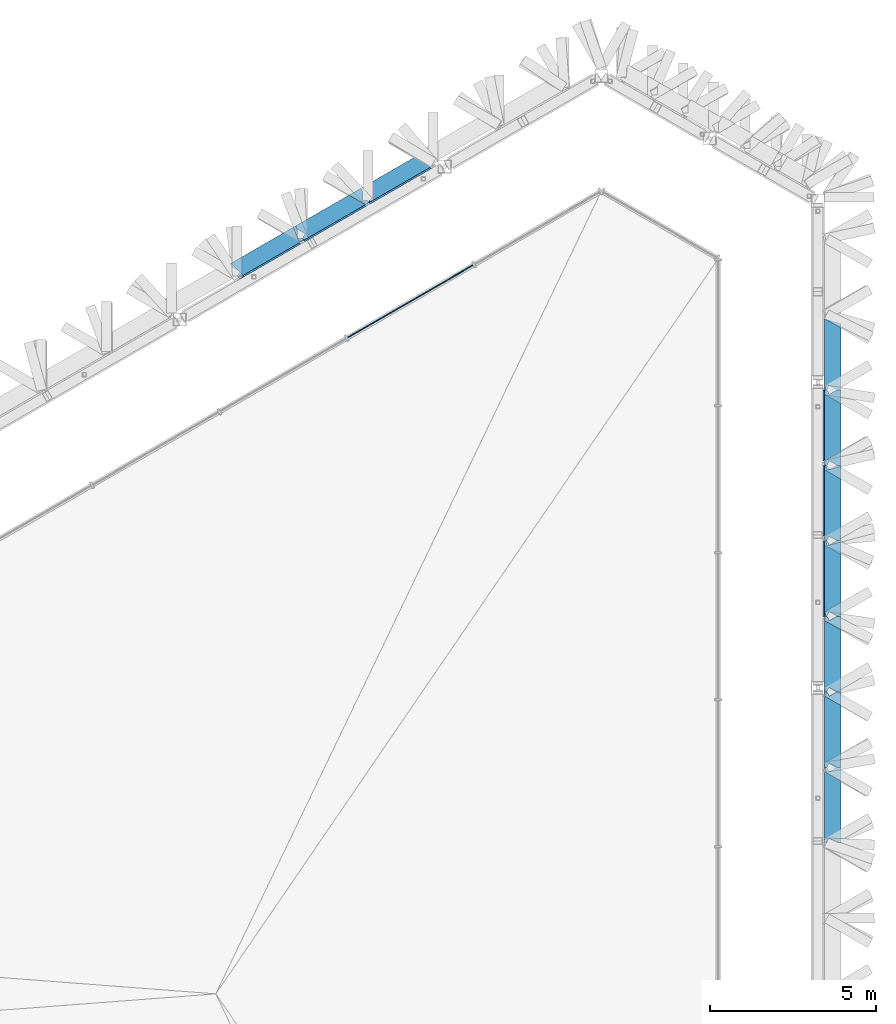
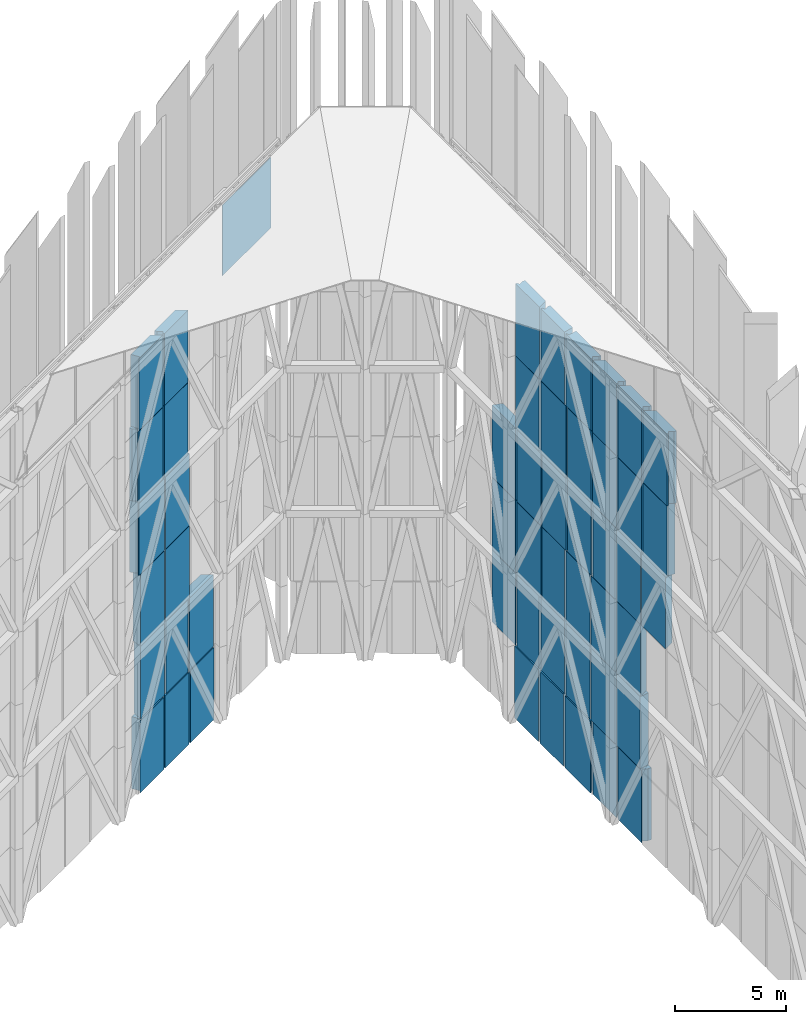
# One storey, part 34 of 45: 51 plates, 1 element without a shape of its own.
"""IFC4 building model written with IfcOpenShell, lengths in metres."""

from ifc_helpers import new_model, si_unit, direction, frame, origin, origin_2d, place, context, subcontext, project, spatial, polyline, rectangle, outline, extrude, material, layer, layer_set, type_object, element, aggregate, save


model = new_model("IFC4")

# Units and contexts
model_context = context("Model", 3, precision=1e-05, world=origin(), true_north=direction((0.0, 1.0)))
body_context = subcontext(model_context, "Body", "Model", "MODEL_VIEW")
ifc_project = project(units=[si_unit("LENGTHUNIT", "METRE"), si_unit("AREAUNIT", "SQUARE_METRE"), si_unit("VOLUMEUNIT", "CUBIC_METRE"), si_unit("PLANEANGLEUNIT", "RADIAN"), si_unit("MASSUNIT", "GRAM", prefix="KILO")], contexts=[model_context])

# Site, building, storey
site_placement = place(None, origin())
site = spatial("IfcSite", under=ifc_project, at=site_placement, CompositionType="ELEMENT")
building_placement = place(site_placement, origin())
building = spatial("IfcBuilding", under=site, at=building_placement, Name="Jabali Bay Hotel Tower and Convention Centre", CompositionType="ELEMENT")
storey_placement = place(building_placement, frame((0.0, 0.0, 322.39990234375)))
storey = spatial("IfcBuildingStorey", under=building, at=storey_placement, Name="Crown", CompositionType="ELEMENT", Elevation=322.39990234375)

# Curtain wall, plate
ifc_material_1 = material(Name="Aluminium and glass", Category="aluminium")
ifc_layer_1 = layer(ifc_material_1, 0.199951171875)
ifc_layer_set_1 = layer_set([ifc_layer_1], Name="Aluminium and glass")
curtain_wall_type = type_object("IfcCurtainWallType", Name="CW6 curtain wall", PredefinedType="NOTDEFINED", material=ifc_layer_set_1)
curtain_wall_placement = place(storey_placement, origin())
curtain_wall = element("IfcCurtainWall", 1, at=curtain_wall_placement, inside=storey, type_object=curtain_wall_type, Name="CW6 lantern glazing 3", PredefinedType="NOTDEFINED")
ifc_material_2 = material(Name="Glass", Category="glass")
ifc_layer_2 = layer(ifc_material_2, 0.031982421875)
ifc_layer_set_2 = layer_set([ifc_layer_2], Name="Glass")
plate_type_1 = type_object("IfcPlateType", Name="CW6 glass panel 32", PredefinedType="CURTAIN_PANEL", material=ifc_layer_set_2)
plate_1_placement = place(storey_placement, frame((80.865478515625, 100.878662109375, 28.41015625), z_axis=(0.0, 0.0, 1.0), x_axis=(-0.866025400826, -0.500000005124, 0.0)))
plate_1 = element("IfcPlate", 2, at=plate_1_placement, type_object=plate_type_1, Name="CW6 panel 2.1", PredefinedType="CURTAIN_PANEL", context=body_context, shape_type="SweptSolid", body=[
    extrude(rectangle(XDim=4.3740234375, YDim=0.031982421875, at=origin_2d()), origin(), (0.0, 0.0, 1.0), 3.8798828125),
])
aggregate(curtain_wall, [plate_1])

# Plates
ifc_material_3 = material(Name="Precast concrete C60", Category="concrete")
ifc_layer_3 = layer(ifc_material_3, 0.5)
ifc_layer_set_3 = layer_set([ifc_layer_3], Name="Precast concrete C60")
plate_type_2 = type_object("IfcPlateType", Name="Pierced precast screen", PredefinedType="USERDEFINED", material=ifc_layer_set_3)
plate_2_placement = place(storey_placement, frame((0.0, 0.0, 0.010009765625)))
element("IfcPlate", 3, at=plate_2_placement, inside=storey, type_object=plate_type_2, Name="Screen 1.0.13", ObjectType="SCREEN", PredefinedType="USERDEFINED", context=body_context, shape_type="SweptSolid", body=[
    extrude(outline(polyline([(93.348876953125, 88.9599609375), (93.348876953125, 86.8291015625), (93.373779296875, 86.8291015625), (93.44873046875, 86.958984375), (93.673828125, 86.8291015625), (93.848876953125, 86.8291015625), (93.848876953125, 88.671142578125), (93.348876953125, 88.9599609375)])), origin(), (0.0, 0.0, 1.0), 3.9658203125),
])
plate_3_placement = place(storey_placement, frame((0.0, 0.0, 0.010009765625)))
element("IfcPlate", 4, at=plate_3_placement, inside=storey, type_object=plate_type_2, Name="Screen 1.0.14", ObjectType="SCREEN", PredefinedType="USERDEFINED", context=body_context, shape_type="SweptSolid", body=[
    extrude(outline(polyline([(93.348876953125, 91.22265625), (93.348876953125, 89.10546875), (93.396484375, 89.10546875), (93.471435546875, 89.2353515625), (93.696533203125, 89.10546875), (93.848876953125, 89.10546875), (93.848876953125, 90.96728515625), (93.348876953125, 91.22265625)])), origin(), (0.0, 0.0, 1.0), 3.9658203125),
])
plate_4_placement = place(storey_placement, frame((0.0, 0.0, 0.010009765625)))
element("IfcPlate", 5, at=plate_4_placement, inside=storey, type_object=plate_type_2, Name="Screen 1.0.15", ObjectType="SCREEN", PredefinedType="USERDEFINED", context=body_context, shape_type="SweptSolid", body=[
    extrude(outline(polyline([(93.298828125, 93.658203125), (93.298828125, 91.3818359375), (93.366943359375, 91.3818359375), (93.435302734375, 91.515380859375), (93.69677734375, 91.3818359375), (93.798828125, 91.3818359375), (93.798828125, 93.62353515625), (93.374267578125, 93.51318359375), (93.33642578125, 93.658203125), (93.298828125, 93.658203125)])), origin(), (0.0, 0.0, 1.0), 3.9658203125),
])
plate_5_placement = place(storey_placement, frame((0.0, 0.0, 0.010009765625)))
element("IfcPlate", 6, at=plate_5_placement, inside=storey, type_object=plate_type_2, Name="Screen 1.0.16", ObjectType="SCREEN", PredefinedType="USERDEFINED", context=body_context, shape_type="SweptSolid", body=[
    extrude(outline(polyline([(93.298828125, 95.9345703125), (93.298828125, 93.803466796875), (93.798828125, 93.933349609375), (93.798828125, 95.9345703125), (93.673828125, 95.9345703125), (93.44873046875, 95.8046875), (93.373779296875, 95.9345703125), (93.298828125, 95.9345703125)])), origin(), (0.0, 0.0, 1.0), 3.9658203125),
])
plate_6_placement = place(storey_placement, frame((0.0, 0.0, 0.010009765625)))
element("IfcPlate", 7, at=plate_6_placement, inside=storey, type_object=plate_type_2, Name="Screen 1.0.17", ObjectType="SCREEN", PredefinedType="USERDEFINED", context=body_context, shape_type="SweptSolid", body=[
    extrude(outline(polyline([(93.298828125, 98.2109375), (93.298828125, 96.064453125), (93.798828125, 96.353271484375), (93.798828125, 98.2109375), (93.7236328125, 98.2109375), (93.498779296875, 98.0810546875), (93.423828125, 98.2109375), (93.298828125, 98.2109375)])), origin(), (0.0, 0.0, 1.0), 3.9658203125),
])
plate_7_placement = place(storey_placement, frame((0.0, 0.0, 0.010009765625)))
element("IfcPlate", 8, at=plate_7_placement, inside=storey, type_object=plate_type_2, Name="Screen 1.2.30", ObjectType="SCREEN", PredefinedType="USERDEFINED", context=body_context, shape_type="SweptSolid", body=[
    extrude(outline(polyline([(79.650390625, 103.814453125), (81.50927734375, 104.8876953125), (81.00927734375, 105.176513671875), (79.400390625, 104.24755859375), (79.462890625, 104.13916015625), (79.68798828125, 104.00927734375), (79.613037109375, 103.87939453125), (79.650390625, 103.814453125)])), origin(), (0.0, 0.0, 1.0), 3.9658203125),
])
plate_8_placement = place(storey_placement, frame((0.0, 0.0, 0.010009765625)))
element("IfcPlate", 9, at=plate_8_placement, inside=storey, type_object=plate_type_2, Name="Screen 1.2.31", ObjectType="SCREEN", PredefinedType="USERDEFINED", context=body_context, shape_type="SweptSolid", body=[
    extrude(outline(polyline([(77.678955078125, 102.67626953125), (79.537841796875, 103.74951171875), (79.037841796875, 104.038330078125), (77.428955078125, 103.109375), (77.491455078125, 103.0009765625), (77.716552734375, 102.87109375), (77.6416015625, 102.7412109375), (77.678955078125, 102.67626953125)])), origin(), (0.0, 0.0, 1.0), 3.9658203125),
])
plate_9_placement = place(storey_placement, frame((0.0, 0.0, 0.010009765625)))
element("IfcPlate", 10, at=plate_9_placement, inside=storey, type_object=plate_type_2, Name="Screen 1.2.32", ObjectType="SCREEN", PredefinedType="USERDEFINED", context=body_context, shape_type="SweptSolid", body=[
    extrude(outline(polyline([(75.70751953125, 101.5380859375), (77.56640625, 102.611328125), (77.06640625, 102.900146484375), (75.556884765625, 102.0283203125), (75.826171875, 101.6318359375), (75.7021484375, 101.547607421875), (75.70751953125, 101.5380859375)])), origin(), (0.0, 0.0, 1.0), 3.9658203125),
])
plate_10_placement = place(storey_placement, frame((0.0, 0.0, 3.995849609375)))
element("IfcPlate", 11, at=plate_10_placement, inside=storey, type_object=plate_type_2, Name="Screen 2.0.13", ObjectType="SCREEN", PredefinedType="USERDEFINED", context=body_context, shape_type="SweptSolid", body=[
    extrude(outline(polyline([(93.348876953125, 89.10546875), (93.348876953125, 86.976806640625), (93.848876953125, 87.06494140625), (93.848876953125, 89.10546875), (93.7236328125, 89.10546875), (93.498779296875, 88.9755859375), (93.423828125, 89.10546875), (93.348876953125, 89.10546875)])), origin(), (0.0, 0.0, 1.0), 3.965576171875),
])
plate_11_placement = place(storey_placement, frame((0.0, 0.0, 3.995849609375)))
element("IfcPlate", 12, at=plate_11_placement, inside=storey, type_object=plate_type_2, Name="Screen 2.0.14", ObjectType="SCREEN", PredefinedType="USERDEFINED", context=body_context, shape_type="SweptSolid", body=[
    extrude(outline(polyline([(93.348876953125, 91.3818359375), (93.348876953125, 89.2353515625), (93.848876953125, 89.524169921875), (93.848876953125, 91.3818359375), (93.7236328125, 91.3818359375), (93.498779296875, 91.251953125), (93.423828125, 91.3818359375), (93.348876953125, 91.3818359375)])), origin(), (0.0, 0.0, 1.0), 3.965576171875),
])
plate_12_placement = place(storey_placement, frame((0.0, 0.0, 3.995849609375)))
element("IfcPlate", 13, at=plate_12_placement, inside=storey, type_object=plate_type_2, Name="Screen 2.0.15", ObjectType="SCREEN", PredefinedType="USERDEFINED", context=body_context, shape_type="SweptSolid", body=[
    extrude(outline(polyline([(93.348876953125, 93.658203125), (93.348876953125, 91.51171875), (93.848876953125, 91.800537109375), (93.848876953125, 93.658203125), (93.7236328125, 93.658203125), (93.498779296875, 93.5283203125), (93.423828125, 93.658203125), (93.348876953125, 93.658203125)])), origin(), (0.0, 0.0, 1.0), 3.965576171875),
])
plate_13_placement = place(storey_placement, frame((0.0, 0.0, 3.995849609375)))
element("IfcPlate", 14, at=plate_13_placement, inside=storey, type_object=plate_type_2, Name="Screen 2.0.16", ObjectType="SCREEN", PredefinedType="USERDEFINED", context=body_context, shape_type="SweptSolid", body=[
    extrude(outline(polyline([(93.348876953125, 95.9345703125), (93.348876953125, 93.7880859375), (93.848876953125, 94.076904296875), (93.848876953125, 95.88916015625), (93.416748046875, 95.78857421875), (93.3828125, 95.9345703125), (93.348876953125, 95.9345703125)])), origin(), (0.0, 0.0, 1.0), 3.965576171875),
])
plate_14_placement = place(storey_placement, frame((0.0, 0.0, 3.995849609375)))
element("IfcPlate", 15, at=plate_14_placement, inside=storey, type_object=plate_type_2, Name="Screen 2.0.17", ObjectType="SCREEN", PredefinedType="USERDEFINED", context=body_context, shape_type="SweptSolid", body=[
    extrude(outline(polyline([(93.348876953125, 98.06298828125), (93.348876953125, 96.080810546875), (93.848876953125, 96.197021484375), (93.848876953125, 97.98095703125), (93.348876953125, 98.06298828125)])), origin(), (0.0, 0.0, 1.0), 3.965576171875),
])
plate_15_placement = place(storey_placement, frame((0.0, 0.0, 3.995849609375)))
element("IfcPlate", 16, at=plate_15_placement, inside=storey, type_object=plate_type_2, Name="Screen 2.0.18", ObjectType="SCREEN", PredefinedType="USERDEFINED", context=body_context, shape_type="SweptSolid", body=[
    extrude(outline(polyline([(93.348876953125, 100.353271484375), (93.348876953125, 98.2109375), (93.373046875, 98.2109375), (93.397216796875, 98.359130859375), (93.848876953125, 98.28515625), (93.848876953125, 100.102783203125), (93.348876953125, 100.353271484375)])), origin(), (0.0, 0.0, 1.0), 3.965576171875),
])
plate_16_placement = place(storey_placement, frame((0.0, 0.0, 3.995849609375)))
element("IfcPlate", 17, at=plate_16_placement, inside=storey, type_object=plate_type_2, Name="Screen 2.2.30", ObjectType="SCREEN", PredefinedType="USERDEFINED", context=body_context, shape_type="SweptSolid", body=[
    extrude(outline(polyline([(79.62548828125, 103.85791015625), (81.48291015625, 104.93017578125), (80.9951171875, 105.22607421875), (79.414794921875, 104.3134765625), (79.718017578125, 103.98974609375), (79.6083984375, 103.88720703125), (79.62548828125, 103.85791015625)])), origin(), (0.0, 0.0, 1.0), 3.965576171875),
])
plate_17_placement = place(storey_placement, frame((0.0, 0.0, 3.995849609375)))
element("IfcPlate", 18, at=plate_17_placement, inside=storey, type_object=plate_type_2, Name="Screen 2.2.31", ObjectType="SCREEN", PredefinedType="USERDEFINED", context=body_context, shape_type="SweptSolid", body=[
    extrude(outline(polyline([(77.782470703125, 102.793701171875), (79.4990234375, 103.78466796875), (79.14794921875, 104.159423828125), (77.60009765625, 103.265869140625), (77.782470703125, 102.793701171875)])), origin(), (0.0, 0.0, 1.0), 3.965576171875),
])
plate_18_placement = place(storey_placement, frame((0.0, 0.0, 3.995849609375)))
element("IfcPlate", 19, at=plate_18_placement, inside=storey, type_object=plate_type_2, Name="Screen 2.2.32", ObjectType="SCREEN", PredefinedType="USERDEFINED", context=body_context, shape_type="SweptSolid", body=[
    extrude(outline(polyline([(75.795654296875, 101.646728515625), (77.654052734375, 102.7197265625), (77.642333984375, 102.73974609375), (77.50244140625, 102.685791015625), (77.337158203125, 103.114013671875), (75.79052734375, 102.22119140625), (75.795654296875, 101.646728515625)])), origin(), (0.0, 0.0, 1.0), 3.965576171875),
])
plate_19_placement = place(storey_placement, frame((0.0, 0.0, 7.9814453125)))
element("IfcPlate", 20, at=plate_19_placement, inside=storey, type_object=plate_type_2, Name="Screen 3.0.13", ObjectType="SCREEN", PredefinedType="USERDEFINED", context=body_context, shape_type="SweptSolid", body=[
    extrude(outline(polyline([(93.348876953125, 89.10546875), (93.348876953125, 86.958984375), (93.848876953125, 87.247802734375), (93.848876953125, 89.10546875), (93.7236328125, 89.10546875), (93.498779296875, 88.9755859375), (93.423828125, 89.10546875), (93.348876953125, 89.10546875)])), origin(), (0.0, 0.0, 1.0), 3.9658203125),
])
plate_20_placement = place(storey_placement, frame((0.0, 0.0, 7.9814453125)))
element("IfcPlate", 21, at=plate_20_placement, inside=storey, type_object=plate_type_2, Name="Screen 3.0.14", ObjectType="SCREEN", PredefinedType="USERDEFINED", context=body_context, shape_type="SweptSolid", body=[
    extrude(outline(polyline([(93.348876953125, 91.3818359375), (93.348876953125, 89.2353515625), (93.848876953125, 89.524169921875), (93.848876953125, 91.3818359375), (93.7236328125, 91.3818359375), (93.498779296875, 91.251953125), (93.423828125, 91.3818359375), (93.348876953125, 91.3818359375)])), origin(), (0.0, 0.0, 1.0), 3.9658203125),
])
plate_21_placement = place(storey_placement, frame((0.0, 0.0, 7.9814453125)))
element("IfcPlate", 22, at=plate_21_placement, inside=storey, type_object=plate_type_2, Name="Screen 3.0.15", ObjectType="SCREEN", PredefinedType="USERDEFINED", context=body_context, shape_type="SweptSolid", body=[
    extrude(outline(polyline([(93.348876953125, 93.658203125), (93.348876953125, 91.51171875), (93.848876953125, 91.800537109375), (93.848876953125, 93.55419921875), (93.37744140625, 93.509033203125), (93.363037109375, 93.658203125), (93.348876953125, 93.658203125)])), origin(), (0.0, 0.0, 1.0), 3.9658203125),
])
plate_22_placement = place(storey_placement, frame((0.0, 0.0, 7.9814453125)))
element("IfcPlate", 23, at=plate_22_placement, inside=storey, type_object=plate_type_2, Name="Screen 3.0.16", ObjectType="SCREEN", PredefinedType="USERDEFINED", context=body_context, shape_type="SweptSolid", body=[
    extrude(outline(polyline([(93.348876953125, 95.8046875), (93.348876953125, 93.8076171875), (93.848876953125, 93.85546875), (93.848876953125, 95.51611328125), (93.348876953125, 95.8046875)])), origin(), (0.0, 0.0, 1.0), 3.9658203125),
])
plate_23_placement = place(storey_placement, frame((0.0, 0.0, 7.9814453125)))
element("IfcPlate", 24, at=plate_23_placement, inside=storey, type_object=plate_type_2, Name="Screen 3.0.17", ObjectType="SCREEN", PredefinedType="USERDEFINED", context=body_context, shape_type="SweptSolid", body=[
    extrude(outline(polyline([(93.348876953125, 98.0810546875), (93.348876953125, 95.9345703125), (93.423828125, 95.9345703125), (93.498779296875, 96.064453125), (93.7236328125, 95.9345703125), (93.848876953125, 95.9345703125), (93.848876953125, 97.79248046875), (93.348876953125, 98.0810546875)])), origin(), (0.0, 0.0, 1.0), 3.9658203125),
])
plate_24_placement = place(storey_placement, frame((0.0, 0.0, 7.9814453125)))
element("IfcPlate", 25, at=plate_24_placement, inside=storey, type_object=plate_type_2, Name="Screen 3.0.18", ObjectType="SCREEN", PredefinedType="USERDEFINED", context=body_context, shape_type="SweptSolid", body=[
    extrude(outline(polyline([(93.348876953125, 100.357421875), (93.348876953125, 98.2109375), (93.423828125, 98.2109375), (93.498779296875, 98.3408203125), (93.7236328125, 98.2109375), (93.848876953125, 98.2109375), (93.848876953125, 100.06884765625), (93.348876953125, 100.357421875)])), origin(), (0.0, 0.0, 1.0), 3.9658203125),
])
plate_25_placement = place(storey_placement, frame((0.0, 0.0, 7.9814453125)))
element("IfcPlate", 26, at=plate_25_placement, inside=storey, type_object=plate_type_2, Name="Screen 3.2.31", ObjectType="SCREEN", PredefinedType="USERDEFINED", context=body_context, shape_type="SweptSolid", body=[
    extrude(outline(polyline([(77.7666015625, 102.78466796875), (79.62548828125, 103.85791015625), (79.587890625, 103.9228515625), (79.43798828125, 103.9228515625), (79.43798828125, 104.1826171875), (79.37548828125, 104.290771484375), (77.7666015625, 103.362060546875), (77.7666015625, 102.78466796875)])), origin(), (0.0, 0.0, 1.0), 3.9658203125),
])
plate_26_placement = place(storey_placement, frame((0.0, 0.0, 7.9814453125)))
element("IfcPlate", 27, at=plate_26_placement, inside=storey, type_object=plate_type_2, Name="Screen 3.2.32", ObjectType="SCREEN", PredefinedType="USERDEFINED", context=body_context, shape_type="SweptSolid", body=[
    extrude(outline(polyline([(75.802734375, 101.65087890625), (77.654052734375, 102.7197265625), (77.616455078125, 102.78466796875), (77.466552734375, 102.78466796875), (77.466552734375, 103.04443359375), (77.404052734375, 103.152587890625), (75.7314453125, 102.18701171875), (75.802734375, 101.65087890625)])), origin(), (0.0, 0.0, 1.0), 3.9658203125),
])
plate_27_placement = place(storey_placement, frame((0.0, 0.0, 11.96728515625)))
element("IfcPlate", 28, at=plate_27_placement, inside=storey, type_object=plate_type_2, Name="Screen 4.0.12", ObjectType="SCREEN", PredefinedType="USERDEFINED", context=body_context, shape_type="SweptSolid", body=[
    extrude(outline(polyline([(93.348876953125, 86.8291015625), (93.348876953125, 84.6826171875), (93.848876953125, 84.971435546875), (93.848876953125, 86.8291015625), (93.730712890625, 86.8291015625), (93.494384765625, 86.697998046875), (93.421630859375, 86.8291015625), (93.348876953125, 86.8291015625)])), origin(), (0.0, 0.0, 1.0), 3.965576171875),
])
plate_28_placement = place(storey_placement, frame((0.0, 0.0, 11.96728515625)))
element("IfcPlate", 29, at=plate_28_placement, inside=storey, type_object=plate_type_2, Name="Screen 4.0.13", ObjectType="SCREEN", PredefinedType="USERDEFINED", context=body_context, shape_type="SweptSolid", body=[
    extrude(outline(polyline([(93.348876953125, 89.10546875), (93.348876953125, 86.960205078125), (93.848876953125, 87.23779296875), (93.848876953125, 89.063720703125), (93.41943359375, 88.959716796875), (93.384033203125, 89.10546875), (93.348876953125, 89.10546875)])), origin(), (0.0, 0.0, 1.0), 3.965576171875),
])
plate_29_placement = place(storey_placement, frame((0.0, 0.0, 11.96728515625)))
element("IfcPlate", 30, at=plate_29_placement, inside=storey, type_object=plate_type_2, Name="Screen 4.0.14", ObjectType="SCREEN", PredefinedType="USERDEFINED", context=body_context, shape_type="SweptSolid", body=[
    extrude(outline(polyline([(93.348876953125, 91.2333984375), (93.348876953125, 89.251220703125), (93.848876953125, 89.372314453125), (93.848876953125, 91.16015625), (93.348876953125, 91.2333984375)])), origin(), (0.0, 0.0, 1.0), 3.965576171875),
])
plate_30_placement = place(storey_placement, frame((0.0, 0.0, 11.96728515625)))
element("IfcPlate", 31, at=plate_30_placement, inside=storey, type_object=plate_type_2, Name="Screen 4.0.15", ObjectType="SCREEN", PredefinedType="USERDEFINED", context=body_context, shape_type="SweptSolid", body=[
    extrude(outline(polyline([(93.348876953125, 93.527099609375), (93.348876953125, 91.3818359375), (93.37060546875, 91.3818359375), (93.392333984375, 91.5302734375), (93.848876953125, 91.46337890625), (93.848876953125, 93.249267578125), (93.348876953125, 93.527099609375)])), origin(), (0.0, 0.0, 1.0), 3.965576171875),
])
plate_31_placement = place(storey_placement, frame((0.0, 0.0, 11.96728515625)))
element("IfcPlate", 32, at=plate_31_placement, inside=storey, type_object=plate_type_2, Name="Screen 4.0.16", ObjectType="SCREEN", PredefinedType="USERDEFINED", context=body_context, shape_type="SweptSolid", body=[
    extrude(outline(polyline([(93.348876953125, 95.8046875), (93.348876953125, 93.658203125), (93.421630859375, 93.658203125), (93.494384765625, 93.789306640625), (93.73046875, 93.658203125), (93.848876953125, 93.658203125), (93.848876953125, 95.51611328125), (93.348876953125, 95.8046875)])), origin(), (0.0, 0.0, 1.0), 3.965576171875),
])
plate_32_placement = place(storey_placement, frame((0.0, 0.0, 11.96728515625)))
element("IfcPlate", 33, at=plate_32_placement, inside=storey, type_object=plate_type_2, Name="Screen 4.0.17", ObjectType="SCREEN", PredefinedType="USERDEFINED", context=body_context, shape_type="SweptSolid", body=[
    extrude(outline(polyline([(93.348876953125, 98.0810546875), (93.348876953125, 95.9345703125), (93.423828125, 95.9345703125), (93.498779296875, 96.064453125), (93.7236328125, 95.9345703125), (93.848876953125, 95.9345703125), (93.848876953125, 97.79248046875), (93.348876953125, 98.0810546875)])), origin(), (0.0, 0.0, 1.0), 3.965576171875),
])
plate_33_placement = place(storey_placement, frame((0.0, 0.0, 11.96728515625)))
element("IfcPlate", 34, at=plate_33_placement, inside=storey, type_object=plate_type_2, Name="Screen 4.0.18", ObjectType="SCREEN", PredefinedType="USERDEFINED", context=body_context, shape_type="SweptSolid", body=[
    extrude(outline(polyline([(93.348876953125, 100.343017578125), (93.348876953125, 98.2109375), (93.423828125, 98.2109375), (93.498779296875, 98.3408203125), (93.7236328125, 98.2109375), (93.848876953125, 98.2109375), (93.848876953125, 100.202880859375), (93.348876953125, 100.343017578125)])), origin(), (0.0, 0.0, 1.0), 3.965576171875),
])
plate_34_placement = place(storey_placement, frame((0.0, 0.0, 11.96728515625)))
element("IfcPlate", 35, at=plate_34_placement, inside=storey, type_object=plate_type_2, Name="Screen 4.2.31", ObjectType="SCREEN", PredefinedType="USERDEFINED", context=body_context, shape_type="SweptSolid", body=[
    extrude(outline(polyline([(77.770751953125, 102.786865234375), (79.62548828125, 103.85791015625), (79.587890625, 103.9228515625), (79.43798828125, 103.9228515625), (79.43798828125, 104.1826171875), (79.37548828125, 104.290771484375), (77.733154296875, 103.342529296875), (77.770751953125, 102.786865234375)])), origin(), (0.0, 0.0, 1.0), 3.965576171875),
])
plate_35_placement = place(storey_placement, frame((0.0, 0.0, 11.96728515625)))
element("IfcPlate", 36, at=plate_35_placement, inside=storey, type_object=plate_type_2, Name="Screen 4.2.32", ObjectType="SCREEN", PredefinedType="USERDEFINED", context=body_context, shape_type="SweptSolid", body=[
    extrude(outline(polyline([(75.6826171875, 101.58154296875), (77.654052734375, 102.7197265625), (77.62109375, 102.77685546875), (77.471435546875, 102.7666015625), (77.45068359375, 103.07177734375), (77.404052734375, 103.152587890625), (75.4560546875, 102.028076171875), (75.767333984375, 101.7236328125), (75.662353515625, 101.616455078125), (75.6826171875, 101.58154296875)])), origin(), (0.0, 0.0, 1.0), 3.965576171875),
])
plate_36_placement = place(storey_placement, frame((0.0, 0.0, 15.952880859375)))
element("IfcPlate", 37, at=plate_36_placement, inside=storey, type_object=plate_type_2, Name="Screen 5.0.12", ObjectType="SCREEN", PredefinedType="USERDEFINED", context=body_context, shape_type="SweptSolid", body=[
    extrude(outline(polyline([(93.348876953125, 86.69921875), (93.348876953125, 84.552734375), (93.354736328125, 84.552734375), (93.36083984375, 84.70263671875), (93.848876953125, 84.68310546875), (93.848876953125, 86.41064453125), (93.348876953125, 86.69921875)])), origin(), (0.0, 0.0, 1.0), 3.9658203125),
])
plate_37_placement = place(storey_placement, frame((0.0, 0.0, 15.952880859375)))
element("IfcPlate", 38, at=plate_37_placement, inside=storey, type_object=plate_type_2, Name="Screen 5.0.13", ObjectType="SCREEN", PredefinedType="USERDEFINED", context=body_context, shape_type="SweptSolid", body=[
    extrude(outline(polyline([(93.348876953125, 88.9755859375), (93.348876953125, 86.8291015625), (93.423828125, 86.8291015625), (93.498779296875, 86.958984375), (93.7236328125, 86.8291015625), (93.848876953125, 86.8291015625), (93.848876953125, 88.68701171875), (93.348876953125, 88.9755859375)])), origin(), (0.0, 0.0, 1.0), 3.9658203125),
])
plate_38_placement = place(storey_placement, frame((0.0, 0.0, 15.952880859375)))
element("IfcPlate", 39, at=plate_38_placement, inside=storey, type_object=plate_type_2, Name="Screen 5.0.14", ObjectType="SCREEN", PredefinedType="USERDEFINED", context=body_context, shape_type="SweptSolid", body=[
    extrude(outline(polyline([(93.348876953125, 91.251953125), (93.348876953125, 89.10546875), (93.423828125, 89.10546875), (93.498779296875, 89.2353515625), (93.7236328125, 89.10546875), (93.848876953125, 89.10546875), (93.848876953125, 90.96337890625), (93.348876953125, 91.251953125)])), origin(), (0.0, 0.0, 1.0), 3.9658203125),
])
plate_39_placement = place(storey_placement, frame((0.0, 0.0, 15.952880859375)))
element("IfcPlate", 40, at=plate_39_placement, inside=storey, type_object=plate_type_2, Name="Screen 5.0.15", ObjectType="SCREEN", PredefinedType="USERDEFINED", context=body_context, shape_type="SweptSolid", body=[
    extrude(outline(polyline([(93.348876953125, 93.520751953125), (93.348876953125, 91.3818359375), (93.423828125, 91.3818359375), (93.498779296875, 91.51171875), (93.7236328125, 91.3818359375), (93.848876953125, 91.3818359375), (93.848876953125, 93.3037109375), (93.348876953125, 93.520751953125)])), origin(), (0.0, 0.0, 1.0), 3.9658203125),
])
plate_40_placement = place(storey_placement, frame((0.0, 0.0, 15.952880859375)))
element("IfcPlate", 41, at=plate_40_placement, inside=storey, type_object=plate_type_2, Name="Screen 5.0.16", ObjectType="SCREEN", PredefinedType="USERDEFINED", context=body_context, shape_type="SweptSolid", body=[
    extrude(outline(polyline([(93.348876953125, 95.9345703125), (93.348876953125, 93.658203125), (93.408447265625, 93.658203125), (93.468017578125, 93.7958984375), (93.785400390625, 93.658203125), (93.848876953125, 93.658203125), (93.848876953125, 95.9306640625), (93.446044921875, 95.792724609375), (93.3974609375, 95.9345703125), (93.348876953125, 95.9345703125)])), origin(), (0.0, 0.0, 1.0), 3.9658203125),
])
plate_41_placement = place(storey_placement, frame((0.0, 0.0, 15.952880859375)))
element("IfcPlate", 42, at=plate_41_placement, inside=storey, type_object=plate_type_2, Name="Screen 5.0.17", ObjectType="SCREEN", PredefinedType="USERDEFINED", context=body_context, shape_type="SweptSolid", body=[
    extrude(outline(polyline([(93.348876953125, 98.2109375), (93.348876953125, 96.07666015625), (93.848876953125, 96.247802734375), (93.848876953125, 98.2109375), (93.7236328125, 98.2109375), (93.498779296875, 98.0810546875), (93.423828125, 98.2109375), (93.348876953125, 98.2109375)])), origin(), (0.0, 0.0, 1.0), 3.9658203125),
])
plate_42_placement = place(storey_placement, frame((0.0, 0.0, 15.952880859375)))
element("IfcPlate", 43, at=plate_42_placement, inside=storey, type_object=plate_type_2, Name="Screen 5.2.31", ObjectType="SCREEN", PredefinedType="USERDEFINED", context=body_context, shape_type="SweptSolid", body=[
    extrude(outline(polyline([(77.654052734375, 102.7197265625), (79.512939453125, 103.79296875), (79.012939453125, 104.08154296875), (77.404052734375, 103.152587890625), (77.466552734375, 103.04443359375), (77.691650390625, 102.91455078125), (77.616455078125, 102.78466796875), (77.654052734375, 102.7197265625)])), origin(), (0.0, 0.0, 1.0), 3.9658203125),
])
plate_43_placement = place(storey_placement, frame((0.0, 0.0, 15.952880859375)))
element("IfcPlate", 44, at=plate_43_placement, inside=storey, type_object=plate_type_2, Name="Screen 5.2.32", ObjectType="SCREEN", PredefinedType="USERDEFINED", context=body_context, shape_type="SweptSolid", body=[
    extrude(outline(polyline([(75.6826171875, 101.58154296875), (77.54150390625, 102.65478515625), (77.04150390625, 102.943359375), (75.4326171875, 102.014404296875), (75.4951171875, 101.90625), (75.72021484375, 101.7763671875), (75.64501953125, 101.646484375), (75.6826171875, 101.58154296875)])), origin(), (0.0, 0.0, 1.0), 3.9658203125),
])
plate_44_placement = place(storey_placement, frame((0.0, 0.0, 19.938720703125)))
element("IfcPlate", 45, at=plate_44_placement, inside=storey, type_object=plate_type_2, Name="Screen 6.0.12", ObjectType="SCREEN", PredefinedType="USERDEFINED", context=body_context, shape_type="SweptSolid", body=[
    extrude(outline(polyline([(93.348876953125, 86.69921875), (93.348876953125, 84.552734375), (93.423828125, 84.552734375), (93.498779296875, 84.6826171875), (93.7236328125, 84.552734375), (93.848876953125, 84.552734375), (93.848876953125, 86.41064453125), (93.348876953125, 86.69921875)])), origin(), (0.0, 0.0, 1.0), 3.965576171875),
])
plate_45_placement = place(storey_placement, frame((0.0, 0.0, 19.938720703125)))
element("IfcPlate", 46, at=plate_45_placement, inside=storey, type_object=plate_type_2, Name="Screen 6.0.13", ObjectType="SCREEN", PredefinedType="USERDEFINED", context=body_context, shape_type="SweptSolid", body=[
    extrude(outline(polyline([(93.348876953125, 88.9755859375), (93.348876953125, 86.8291015625), (93.423828125, 86.8291015625), (93.498779296875, 86.958984375), (93.7236328125, 86.8291015625), (93.848876953125, 86.8291015625), (93.848876953125, 88.68701171875), (93.348876953125, 88.9755859375)])), origin(), (0.0, 0.0, 1.0), 3.965576171875),
])
plate_46_placement = place(storey_placement, frame((0.0, 0.0, 19.938720703125)))
element("IfcPlate", 47, at=plate_46_placement, inside=storey, type_object=plate_type_2, Name="Screen 6.0.14", ObjectType="SCREEN", PredefinedType="USERDEFINED", context=body_context, shape_type="SweptSolid", body=[
    extrude(outline(polyline([(93.348876953125, 91.248291015625), (93.348876953125, 89.10546875), (93.423828125, 89.10546875), (93.498779296875, 89.2353515625), (93.7236328125, 89.10546875), (93.848876953125, 89.10546875), (93.848876953125, 90.992919921875), (93.348876953125, 91.248291015625)])), origin(), (0.0, 0.0, 1.0), 3.965576171875),
])
plate_47_placement = place(storey_placement, frame((0.0, 0.0, 19.938720703125)))
element("IfcPlate", 48, at=plate_47_placement, inside=storey, type_object=plate_type_2, Name="Screen 6.0.15", ObjectType="SCREEN", PredefinedType="USERDEFINED", context=body_context, shape_type="SweptSolid", body=[
    extrude(outline(polyline([(93.348876953125, 93.658203125), (93.348876953125, 91.3818359375), (93.4169921875, 91.3818359375), (93.4853515625, 91.515380859375), (93.74658203125, 91.3818359375), (93.848876953125, 91.3818359375), (93.848876953125, 93.62353515625), (93.42431640625, 93.51318359375), (93.386474609375, 93.658203125), (93.348876953125, 93.658203125)])), origin(), (0.0, 0.0, 1.0), 3.965576171875),
])
plate_48_placement = place(storey_placement, frame((0.0, 0.0, 19.938720703125)))
element("IfcPlate", 49, at=plate_48_placement, inside=storey, type_object=plate_type_2, Name="Screen 6.0.16", ObjectType="SCREEN", PredefinedType="USERDEFINED", context=body_context, shape_type="SweptSolid", body=[
    extrude(outline(polyline([(93.348876953125, 95.9345703125), (93.348876953125, 93.803466796875), (93.848876953125, 93.933349609375), (93.848876953125, 95.9345703125), (93.7236328125, 95.9345703125), (93.498779296875, 95.8046875), (93.423828125, 95.9345703125), (93.348876953125, 95.9345703125)])), origin(), (0.0, 0.0, 1.0), 3.965576171875),
])
plate_49_placement = place(storey_placement, frame((0.0, 0.0, 19.938720703125)))
element("IfcPlate", 50, at=plate_49_placement, inside=storey, type_object=plate_type_2, Name="Screen 6.0.17", ObjectType="SCREEN", PredefinedType="USERDEFINED", context=body_context, shape_type="SweptSolid", body=[
    extrude(outline(polyline([(93.348876953125, 98.2109375), (93.348876953125, 96.064453125), (93.848876953125, 96.353271484375), (93.848876953125, 98.2109375), (93.7236328125, 98.2109375), (93.498779296875, 98.0810546875), (93.423828125, 98.2109375), (93.348876953125, 98.2109375)])), origin(), (0.0, 0.0, 1.0), 3.965576171875),
])
plate_50_placement = place(storey_placement, frame((0.0, 0.0, 19.938720703125)))
element("IfcPlate", 51, at=plate_50_placement, inside=storey, type_object=plate_type_2, Name="Screen 6.2.31", ObjectType="SCREEN", PredefinedType="USERDEFINED", context=body_context, shape_type="SweptSolid", body=[
    extrude(outline(polyline([(77.654052734375, 102.7197265625), (79.512939453125, 103.79296875), (79.012939453125, 104.08154296875), (77.404052734375, 103.152587890625), (77.466552734375, 103.04443359375), (77.691650390625, 102.91455078125), (77.616455078125, 102.78466796875), (77.654052734375, 102.7197265625)])), origin(), (0.0, 0.0, 1.0), 3.965576171875),
])
plate_51_placement = place(storey_placement, frame((0.0, 0.0, 19.938720703125)))
element("IfcPlate", 52, at=plate_51_placement, inside=storey, type_object=plate_type_2, Name="Screen 6.2.32", ObjectType="SCREEN", PredefinedType="USERDEFINED", context=body_context, shape_type="SweptSolid", body=[
    extrude(outline(polyline([(75.6826171875, 101.58154296875), (77.54150390625, 102.65478515625), (77.04150390625, 102.943359375), (75.53173828125, 102.07177734375), (75.80126953125, 101.67529296875), (75.67724609375, 101.5908203125), (75.6826171875, 101.58154296875)])), origin(), (0.0, 0.0, 1.0), 3.965576171875),
])

save(model, "model.ifc")
